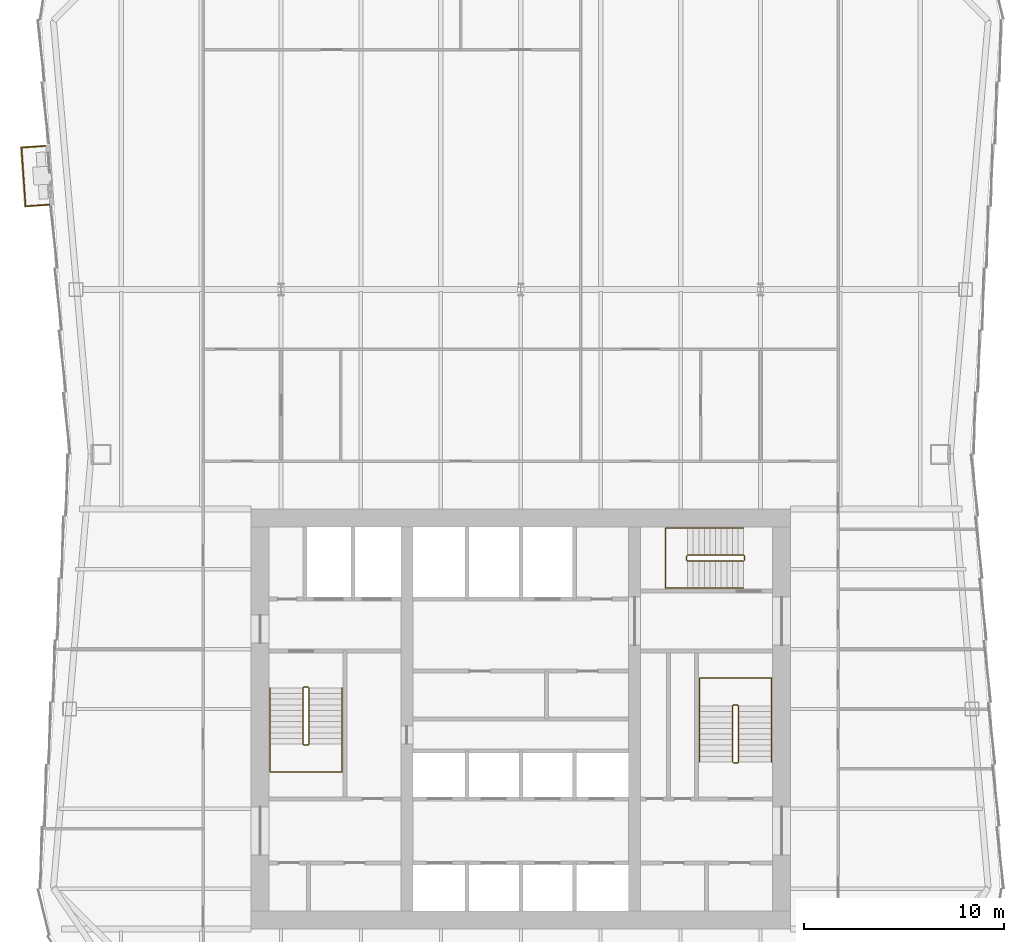
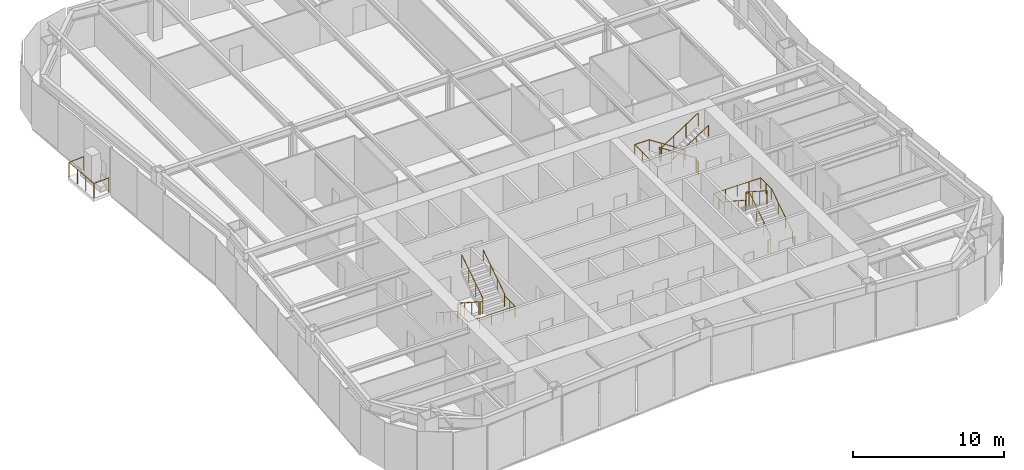
# One storey, part 9 of 10: 7 railings.
"""IFC4 building model written with IfcOpenShell, lengths in metres."""

from ifc_helpers import new_model, si_unit, direction, frame, origin, origin_2d, place, context, subcontext, project, spatial, circle, extrude, material, type_object, element, save


model = new_model("IFC4")

# Units and contexts
model_context = context("Model", 3, precision=1e-05, world=origin(), true_north=direction((0.0, 1.0)))
body_context = subcontext(model_context, "Body", "Model", "MODEL_VIEW")
ifc_project = project(units=[si_unit("LENGTHUNIT", "METRE"), si_unit("AREAUNIT", "SQUARE_METRE"), si_unit("VOLUMEUNIT", "CUBIC_METRE"), si_unit("PLANEANGLEUNIT", "RADIAN"), si_unit("MASSUNIT", "GRAM", prefix="KILO")], contexts=[model_context])

# Site, building, storey
site_placement = place(None, origin())
site = spatial("IfcSite", under=ifc_project, at=site_placement, CompositionType="ELEMENT")
building_placement = place(site_placement, origin())
building = spatial("IfcBuilding", under=site, at=building_placement, Name="Verdant Reach Tower", CompositionType="ELEMENT")
storey_placement = place(building_placement, frame((0.0, 0.0, 214.0)))
storey = spatial("IfcBuildingStorey", under=building, at=storey_placement, Name="L49", CompositionType="ELEMENT", Elevation=214.0)

# Railings
ifc_material_1 = material(Name="Stainless steel", Category="steel")
railing_type_1 = type_object("IfcRailingType", Name="CO-GUARD", PredefinedType="GUARDRAIL", material=ifc_material_1)
railing_1_placement = place(storey_placement, frame((-10.64990234375, 29.60009765625, 0.0)))
element("IfcRailing", 1, at=railing_1_placement, inside=storey, type_object=railing_type_1, Name="L49 ST-1 stair guard 1", PredefinedType="GUARDRAIL", context=body_context, shape_type="SweptSolid", body=[
    extrude(circle(Radius=0.02392578125, at=origin_2d()), frame((0.0, 0.0, 1.076171875), z_axis=(-1.0, 0.0, 0.0), x_axis=(0.0, -1.0, 0.0)), (0.0, 0.0, 1.0), 0.2001953125),
    extrude(circle(Radius=0.02392578125, at=origin_2d()), frame((-0.2001953125, 0.0, 1.076171875), z_axis=(-0.25526617399, -0.256517478764, 0.932222056972), x_axis=(0.708833529934, -0.705375805398, 0.0)), (0.0, 0.0, 1.0), 0.195068359375),
    extrude(circle(Radius=0.02392578125, at=origin_2d()), frame((-0.25, -0.050048828125, 1.2578125), z_axis=(0.0, -0.838705829183, 0.544584733623), x_axis=(1.0, 0.0, 0.0)), (0.0, 0.0, 1.0), 3.338623046875),
    extrude(circle(Radius=0.02392578125, at=origin_2d()), frame((-0.25, -2.85009765625, 3.076171875), z_axis=(0.705375805398, -0.708833529934, 0.0), x_axis=(0.708833529934, 0.705375805398, 0.0)), (0.0, 0.0, 1.0), 0.070556640625),
    extrude(circle(Radius=0.02392578125, at=origin_2d()), frame((-0.2001953125, -2.900146484375, 3.076171875), z_axis=(1.0, 0.0, 0.0), x_axis=(0.0, 1.0, 0.0)), (0.0, 0.0, 1.0), 0.2001953125),
    extrude(circle(Radius=0.02392578125, at=origin_2d()), frame((0.0, -2.900146484375, 3.076171875), z_axis=(0.25526617399, 0.256517478764, 0.932222056972), x_axis=(-0.708833529934, 0.705375805398, 0.0)), (0.0, 0.0, 1.0), 0.195068359375),
    extrude(circle(Radius=0.02392578125, at=origin_2d()), frame((0.0498046875, -2.85009765625, 3.2578125), z_axis=(0.0, 0.838705829183, 0.544584733623), x_axis=(-1.0, 0.0, 0.0)), (0.0, 0.0, 1.0), 3.338623046875),
    extrude(circle(Radius=0.02099609375, at=origin_2d()), origin(), (0.0, 0.0, 1.0), 1.052001953125),
    extrude(circle(Radius=0.02099609375, at=origin_2d()), frame((-0.2001953125, 0.0, 0.0)), (0.0, 0.0, 1.0), 1.052001953125),
    extrude(circle(Radius=0.02099609375, at=origin_2d()), frame((-0.25, -0.050048828125, 0.181884765625)), (0.0, 0.0, 1.0), 1.052001953125),
    extrude(circle(Radius=0.02099609375, at=origin_2d()), frame((-0.25, -0.9833984375, 0.787841796875)), (0.0, 0.0, 1.0), 1.052001953125),
    extrude(circle(Radius=0.02099609375, at=origin_2d()), frame((-0.25, -1.916748046875, 1.39404296875)), (0.0, 0.0, 1.0), 1.052001953125),
    extrude(circle(Radius=0.02099609375, at=origin_2d()), frame((-0.25, -2.85009765625, 2.0)), (0.0, 0.0, 1.0), 1.052001953125),
    extrude(circle(Radius=0.02099609375, at=origin_2d()), frame((-0.2001953125, -2.900146484375, 2.0)), (0.0, 0.0, 1.0), 1.052001953125),
    extrude(circle(Radius=0.02099609375, at=origin_2d()), frame((0.0, -2.900146484375, 2.0)), (0.0, 0.0, 1.0), 1.052001953125),
    extrude(circle(Radius=0.02099609375, at=origin_2d()), frame((0.0498046875, -2.85009765625, 2.181884765625)), (0.0, 0.0, 1.0), 1.052001953125),
    extrude(circle(Radius=0.02099609375, at=origin_2d()), frame((0.0498046875, -1.916748046875, 2.787841796875)), (0.0, 0.0, 1.0), 1.052001953125),
    extrude(circle(Radius=0.02099609375, at=origin_2d()), frame((0.0498046875, -0.9833984375, 3.39404296875)), (0.0, 0.0, 1.0), 1.052001953125),
    extrude(circle(Radius=0.02099609375, at=origin_2d()), frame((0.0498046875, -0.050048828125, 4.0)), (0.0, 0.0, 1.0), 1.052001953125),
])
railing_2_placement = place(storey_placement, frame((10.64990234375, 25.800048828125, 0.0)))
element("IfcRailing", 2, at=railing_2_placement, inside=storey, type_object=railing_type_1, Name="L49 ST-2 stair guard 1", PredefinedType="GUARDRAIL", context=body_context, shape_type="SweptSolid", body=[
    extrude(circle(Radius=0.02392578125, at=origin_2d()), frame((0.0, 0.0, 1.076171875), z_axis=(1.0, 0.0, 0.0), x_axis=(0.0, 1.0, 0.0)), (0.0, 0.0, 1.0), 0.2001953125),
    extrude(circle(Radius=0.02392578125, at=origin_2d()), frame((0.2001953125, 0.0, 1.076171875), z_axis=(0.25526617399, 0.256517478764, 0.932222056972), x_axis=(-0.708833529934, 0.705375805398, 0.0)), (0.0, 0.0, 1.0), 0.195068359375),
    extrude(circle(Radius=0.02392578125, at=origin_2d()), frame((0.25, 0.050048828125, 1.2578125), z_axis=(0.0, 0.83868413941, 0.544618136222), x_axis=(-1.0, 0.0, 0.0)), (0.0, 0.0, 1.0), 3.33837890625),
    extrude(circle(Radius=0.02392578125, at=origin_2d()), frame((0.25, 2.849853515625, 3.076171875), z_axis=(-0.705375805398, 0.708833529934, 0.0), x_axis=(-0.708833529934, -0.705375805398, 0.0)), (0.0, 0.0, 1.0), 0.070556640625),
    extrude(circle(Radius=0.02392578125, at=origin_2d()), frame((0.2001953125, 2.89990234375, 3.076171875), z_axis=(-1.0, 0.0, 0.0), x_axis=(0.0, -1.0, 0.0)), (0.0, 0.0, 1.0), 0.2001953125),
    extrude(circle(Radius=0.02392578125, at=origin_2d()), frame((0.0, 2.89990234375, 3.076171875), z_axis=(-0.25526617399, -0.256517478764, 0.932222056972), x_axis=(0.708833529934, -0.705375805398, 0.0)), (0.0, 0.0, 1.0), 0.195068359375),
    extrude(circle(Radius=0.02392578125, at=origin_2d()), frame((-0.0498046875, 2.849853515625, 3.2578125), z_axis=(0.0, -0.83868413941, 0.544618136222), x_axis=(1.0, 0.0, 0.0)), (0.0, 0.0, 1.0), 3.33837890625),
    extrude(circle(Radius=0.02099609375, at=origin_2d()), origin(), (0.0, 0.0, 1.0), 1.052001953125),
    extrude(circle(Radius=0.02099609375, at=origin_2d()), frame((0.2001953125, 0.0, 0.0)), (0.0, 0.0, 1.0), 1.052001953125),
    extrude(circle(Radius=0.02099609375, at=origin_2d()), frame((0.25, 0.050048828125, 0.181884765625)), (0.0, 0.0, 1.0), 1.052001953125),
    extrude(circle(Radius=0.02099609375, at=origin_2d()), frame((0.25, 0.9833984375, 0.787841796875)), (0.0, 0.0, 1.0), 1.052001953125),
    extrude(circle(Radius=0.02099609375, at=origin_2d()), frame((0.25, 1.91650390625, 1.39404296875)), (0.0, 0.0, 1.0), 1.052001953125),
    extrude(circle(Radius=0.02099609375, at=origin_2d()), frame((0.25, 2.849853515625, 2.0)), (0.0, 0.0, 1.0), 1.052001953125),
    extrude(circle(Radius=0.02099609375, at=origin_2d()), frame((0.2001953125, 2.89990234375, 2.0)), (0.0, 0.0, 1.0), 1.052001953125),
    extrude(circle(Radius=0.02099609375, at=origin_2d()), frame((0.0, 2.89990234375, 2.0)), (0.0, 0.0, 1.0), 1.052001953125),
    extrude(circle(Radius=0.02099609375, at=origin_2d()), frame((-0.0498046875, 2.849853515625, 2.181884765625)), (0.0, 0.0, 1.0), 1.052001953125),
    extrude(circle(Radius=0.02099609375, at=origin_2d()), frame((-0.0498046875, 1.91650390625, 2.787841796875)), (0.0, 0.0, 1.0), 1.052001953125),
    extrude(circle(Radius=0.02099609375, at=origin_2d()), frame((-0.0498046875, 0.9833984375, 3.39404296875)), (0.0, 0.0, 1.0), 1.052001953125),
    extrude(circle(Radius=0.02099609375, at=origin_2d()), frame((-0.0498046875, 0.050048828125, 4.0)), (0.0, 0.0, 1.0), 1.052001953125),
])
railing_3_placement = place(storey_placement, frame((11.199951171875, 35.949951171875, 0.0)))
element("IfcRailing", 3, at=railing_3_placement, inside=storey, type_object=railing_type_1, Name="L49 ST-3 stair guard 1", PredefinedType="GUARDRAIL", context=body_context, shape_type="SweptSolid", body=[
    extrude(circle(Radius=0.02392578125, at=origin_2d()), frame((0.0, 0.0, 1.076171875), z_axis=(0.0, 1.0, 0.0), x_axis=(-1.0, 0.0, 0.0)), (0.0, 0.0, 1.0), 0.199951171875),
    extrude(circle(Radius=0.02392578125, at=origin_2d()), frame((0.0, 0.199951171875, 1.076171875), z_axis=(-0.256435381639, 0.256435381639, 0.931923704005), x_axis=(-0.707106781187, -0.707106781187, 0.0)), (0.0, 0.0, 1.0), 0.195068359375),
    extrude(circle(Radius=0.02392578125, at=origin_2d()), frame((-0.050048828125, 0.25, 1.2578125), z_axis=(-0.83868413941, 0.0, 0.544618136222), x_axis=(0.0, -1.0, 0.0)), (0.0, 0.0, 1.0), 3.33837890625),
    extrude(circle(Radius=0.02392578125, at=origin_2d()), frame((-2.849853515625, 0.25, 3.076171875), z_axis=(-0.707106781187, -0.707106781187, 0.0), x_axis=(0.707106781187, -0.707106781187, 0.0)), (0.0, 0.0, 1.0), 0.07080078125),
    extrude(circle(Radius=0.02392578125, at=origin_2d()), frame((-2.89990234375, 0.199951171875, 3.076171875), z_axis=(0.0, -1.0, 0.0), x_axis=(1.0, 0.0, 0.0)), (0.0, 0.0, 1.0), 0.199951171875),
    extrude(circle(Radius=0.02392578125, at=origin_2d()), frame((-2.89990234375, 0.0, 3.076171875), z_axis=(0.256435381639, -0.256435381639, 0.931923704005), x_axis=(0.707106781187, 0.707106781187, 0.0)), (0.0, 0.0, 1.0), 0.195068359375),
    extrude(circle(Radius=0.02392578125, at=origin_2d()), frame((-2.849853515625, -0.050048828125, 3.2578125), z_axis=(0.83868413941, 0.0, 0.544618136222), x_axis=(0.0, 1.0, 0.0)), (0.0, 0.0, 1.0), 3.33837890625),
    extrude(circle(Radius=0.02099609375, at=origin_2d()), origin(), (0.0, 0.0, 1.0), 1.052001953125),
    extrude(circle(Radius=0.02099609375, at=origin_2d()), frame((0.0, 0.199951171875, 0.0)), (0.0, 0.0, 1.0), 1.052001953125),
    extrude(circle(Radius=0.02099609375, at=origin_2d()), frame((-0.050048828125, 0.25, 0.181884765625)), (0.0, 0.0, 1.0), 1.052001953125),
    extrude(circle(Radius=0.02099609375, at=origin_2d()), frame((-0.9833984375, 0.25, 0.787841796875)), (0.0, 0.0, 1.0), 1.052001953125),
    extrude(circle(Radius=0.02099609375, at=origin_2d()), frame((-1.91650390625, 0.25, 1.39404296875)), (0.0, 0.0, 1.0), 1.052001953125),
    extrude(circle(Radius=0.02099609375, at=origin_2d()), frame((-2.849853515625, 0.25, 2.0)), (0.0, 0.0, 1.0), 1.052001953125),
    extrude(circle(Radius=0.02099609375, at=origin_2d()), frame((-2.89990234375, 0.199951171875, 2.0)), (0.0, 0.0, 1.0), 1.052001953125),
    extrude(circle(Radius=0.02099609375, at=origin_2d()), frame((-2.89990234375, 0.0, 2.0)), (0.0, 0.0, 1.0), 1.052001953125),
    extrude(circle(Radius=0.02099609375, at=origin_2d()), frame((-2.849853515625, -0.050048828125, 2.181884765625)), (0.0, 0.0, 1.0), 1.052001953125),
    extrude(circle(Radius=0.02099609375, at=origin_2d()), frame((-1.91650390625, -0.050048828125, 2.787841796875)), (0.0, 0.0, 1.0), 1.052001953125),
    extrude(circle(Radius=0.02099609375, at=origin_2d()), frame((-0.9833984375, -0.050048828125, 3.39404296875)), (0.0, 0.0, 1.0), 1.052001953125),
    extrude(circle(Radius=0.02099609375, at=origin_2d()), frame((-0.050048828125, -0.050048828125, 4.0)), (0.0, 0.0, 1.0), 1.052001953125),
])
railing_type_2 = type_object("IfcRailingType", Name="CO-HANDRAIL", PredefinedType="HANDRAIL", material=ifc_material_1)
railing_4_placement = place(storey_placement, frame((-12.550048828125, 29.550048828125, 0.181884765625)))
element("IfcRailing", 4, at=railing_4_placement, inside=storey, type_object=railing_type_2, Name="L49 ST-1 stair handrail 1", PredefinedType="HANDRAIL", context=body_context, shape_type="SweptSolid", body=[
    extrude(circle(Radius=0.02392578125, at=origin_2d()), frame((0.0, 0.0, 0.8759765625), z_axis=(0.0, -0.838705829183, 0.544584733623), x_axis=(1.0, 0.0, 0.0)), (0.0, 0.0, 1.0), 3.338623046875),
    extrude(circle(Radius=0.02392578125, at=origin_2d()), frame((0.0, -2.800048828125, 2.69384765625), z_axis=(0.0, -1.0, 0.0), x_axis=(1.0, 0.0, 0.0)), (0.0, 0.0, 1.0), 1.39990234375),
    extrude(circle(Radius=0.02392578125, at=origin_2d()), frame((0.0, -4.199951171875, 2.69384765625), z_axis=(1.0, 0.0, 0.0), x_axis=(0.0, 1.0, 0.0)), (0.0, 0.0, 1.0), 3.60009765625),
    extrude(circle(Radius=0.02392578125, at=origin_2d()), frame((3.60009765625, -4.199951171875, 2.69384765625), z_axis=(0.0, 1.0, 0.0), x_axis=(-1.0, 0.0, 0.0)), (0.0, 0.0, 1.0), 1.39990234375),
    extrude(circle(Radius=0.02392578125, at=origin_2d()), frame((3.60009765625, -2.800048828125, 2.69384765625), z_axis=(0.0, 0.0, 1.0), x_axis=(1.0, 0.0, 0.0)), (0.0, 0.0, 1.0), 0.181884765625),
    extrude(circle(Radius=0.02392578125, at=origin_2d()), frame((3.60009765625, -2.800048828125, 2.8759765625), z_axis=(0.0, 0.838705829183, 0.544584733623), x_axis=(-1.0, 0.0, 0.0)), (0.0, 0.0, 1.0), 3.338623046875),
    extrude(circle(Radius=0.02099609375, at=origin_2d()), origin(), (0.0, 0.0, 1.0), 0.851806640625),
    extrude(circle(Radius=0.02099609375, at=origin_2d()), frame((0.0, -0.933349609375, 0.60595703125)), (0.0, 0.0, 1.0), 0.851806640625),
    extrude(circle(Radius=0.02099609375, at=origin_2d()), frame((0.0, -1.86669921875, 1.212158203125)), (0.0, 0.0, 1.0), 0.851806640625),
    extrude(circle(Radius=0.02099609375, at=origin_2d()), frame((0.0, -2.800048828125, 1.818115234375)), (0.0, 0.0, 1.0), 0.851806640625),
    extrude(circle(Radius=0.02099609375, at=origin_2d()), frame((0.0, -3.5, 1.818115234375)), (0.0, 0.0, 1.0), 0.851806640625),
    extrude(circle(Radius=0.02099609375, at=origin_2d()), frame((0.0, -4.199951171875, 1.818115234375)), (0.0, 0.0, 1.0), 0.851806640625),
    extrude(circle(Radius=0.02099609375, at=origin_2d()), frame((0.89990234375, -4.199951171875, 1.818115234375)), (0.0, 0.0, 1.0), 0.851806640625),
    extrude(circle(Radius=0.02099609375, at=origin_2d()), frame((1.800048828125, -4.199951171875, 1.818115234375)), (0.0, 0.0, 1.0), 0.851806640625),
    extrude(circle(Radius=0.02099609375, at=origin_2d()), frame((2.7001953125, -4.199951171875, 1.818115234375)), (0.0, 0.0, 1.0), 0.851806640625),
    extrude(circle(Radius=0.02099609375, at=origin_2d()), frame((3.60009765625, -4.199951171875, 1.818115234375)), (0.0, 0.0, 1.0), 0.851806640625),
    extrude(circle(Radius=0.02099609375, at=origin_2d()), frame((3.60009765625, -3.5, 1.818115234375)), (0.0, 0.0, 1.0), 0.851806640625),
    extrude(circle(Radius=0.02099609375, at=origin_2d()), frame((3.60009765625, -2.800048828125, 1.818115234375)), (0.0, 0.0, 1.0), 0.851806640625),
    extrude(circle(Radius=0.02099609375, at=origin_2d()), frame((3.60009765625, -2.800048828125, 2.0)), (0.0, 0.0, 1.0), 0.851806640625),
    extrude(circle(Radius=0.02099609375, at=origin_2d()), frame((3.60009765625, -1.86669921875, 2.60595703125)), (0.0, 0.0, 1.0), 0.851806640625),
    extrude(circle(Radius=0.02099609375, at=origin_2d()), frame((3.60009765625, -0.933349609375, 3.212158203125)), (0.0, 0.0, 1.0), 0.851806640625),
    extrude(circle(Radius=0.02099609375, at=origin_2d()), frame((3.60009765625, 0.0, 3.818115234375)), (0.0, 0.0, 1.0), 0.851806640625),
])
railing_5_placement = place(storey_placement, frame((12.550048828125, 25.85009765625, 0.181884765625)))
element("IfcRailing", 5, at=railing_5_placement, inside=storey, type_object=railing_type_2, Name="L49 ST-2 stair handrail 1", PredefinedType="HANDRAIL", context=body_context, shape_type="SweptSolid", body=[
    extrude(circle(Radius=0.02392578125, at=origin_2d()), frame((0.0, 0.0, 0.8759765625), z_axis=(0.0, 0.83868413941, 0.544618136222), x_axis=(-1.0, 0.0, 0.0)), (0.0, 0.0, 1.0), 3.33837890625),
    extrude(circle(Radius=0.02392578125, at=origin_2d()), frame((0.0, 2.7998046875, 2.69384765625), z_axis=(0.0, 1.0, 0.0), x_axis=(-1.0, 0.0, 0.0)), (0.0, 0.0, 1.0), 1.400146484375),
    extrude(circle(Radius=0.02392578125, at=origin_2d()), frame((0.0, 4.199951171875, 2.69384765625), z_axis=(-1.0, 0.0, 0.0), x_axis=(0.0, -1.0, 0.0)), (0.0, 0.0, 1.0), 3.60009765625),
    extrude(circle(Radius=0.02392578125, at=origin_2d()), frame((-3.60009765625, 4.199951171875, 2.69384765625), z_axis=(0.0, -1.0, 0.0), x_axis=(1.0, 0.0, 0.0)), (0.0, 0.0, 1.0), 1.400146484375),
    extrude(circle(Radius=0.02392578125, at=origin_2d()), frame((-3.60009765625, 2.7998046875, 2.69384765625), z_axis=(0.0, 0.0, 1.0), x_axis=(1.0, 0.0, 0.0)), (0.0, 0.0, 1.0), 0.181884765625),
    extrude(circle(Radius=0.02392578125, at=origin_2d()), frame((-3.60009765625, 2.7998046875, 2.8759765625), z_axis=(0.0, -0.83868413941, 0.544618136222), x_axis=(1.0, 0.0, 0.0)), (0.0, 0.0, 1.0), 3.33837890625),
    extrude(circle(Radius=0.02099609375, at=origin_2d()), origin(), (0.0, 0.0, 1.0), 0.851806640625),
    extrude(circle(Radius=0.02099609375, at=origin_2d()), frame((0.0, 0.933349609375, 0.60595703125)), (0.0, 0.0, 1.0), 0.851806640625),
    extrude(circle(Radius=0.02099609375, at=origin_2d()), frame((0.0, 1.866455078125, 1.212158203125)), (0.0, 0.0, 1.0), 0.851806640625),
    extrude(circle(Radius=0.02099609375, at=origin_2d()), frame((0.0, 2.7998046875, 1.818115234375)), (0.0, 0.0, 1.0), 0.851806640625),
    extrude(circle(Radius=0.02099609375, at=origin_2d()), frame((0.0, 3.5, 1.818115234375)), (0.0, 0.0, 1.0), 0.851806640625),
    extrude(circle(Radius=0.02099609375, at=origin_2d()), frame((0.0, 4.199951171875, 1.818115234375)), (0.0, 0.0, 1.0), 0.851806640625),
    extrude(circle(Radius=0.02099609375, at=origin_2d()), frame((-0.89990234375, 4.199951171875, 1.818115234375)), (0.0, 0.0, 1.0), 0.851806640625),
    extrude(circle(Radius=0.02099609375, at=origin_2d()), frame((-1.800048828125, 4.199951171875, 1.818115234375)), (0.0, 0.0, 1.0), 0.851806640625),
    extrude(circle(Radius=0.02099609375, at=origin_2d()), frame((-2.7001953125, 4.199951171875, 1.818115234375)), (0.0, 0.0, 1.0), 0.851806640625),
    extrude(circle(Radius=0.02099609375, at=origin_2d()), frame((-3.60009765625, 4.199951171875, 1.818115234375)), (0.0, 0.0, 1.0), 0.851806640625),
    extrude(circle(Radius=0.02099609375, at=origin_2d()), frame((-3.60009765625, 3.5, 1.818115234375)), (0.0, 0.0, 1.0), 0.851806640625),
    extrude(circle(Radius=0.02099609375, at=origin_2d()), frame((-3.60009765625, 2.7998046875, 1.818115234375)), (0.0, 0.0, 1.0), 0.851806640625),
    extrude(circle(Radius=0.02099609375, at=origin_2d()), frame((-3.60009765625, 2.7998046875, 2.0)), (0.0, 0.0, 1.0), 0.851806640625),
    extrude(circle(Radius=0.02099609375, at=origin_2d()), frame((-3.60009765625, 1.866455078125, 2.60595703125)), (0.0, 0.0, 1.0), 0.851806640625),
    extrude(circle(Radius=0.02099609375, at=origin_2d()), frame((-3.60009765625, 0.933349609375, 3.212158203125)), (0.0, 0.0, 1.0), 0.851806640625),
    extrude(circle(Radius=0.02099609375, at=origin_2d()), frame((-3.60009765625, 0.0, 3.818115234375)), (0.0, 0.0, 1.0), 0.851806640625),
])
railing_6_placement = place(storey_placement, frame((11.14990234375, 37.550048828125, 0.181884765625)))
element("IfcRailing", 6, at=railing_6_placement, inside=storey, type_object=railing_type_2, Name="L49 ST-3 stair handrail 1", PredefinedType="HANDRAIL", context=body_context, shape_type="SweptSolid", body=[
    extrude(circle(Radius=0.02392578125, at=origin_2d()), frame((0.0, 0.0, 0.8759765625), z_axis=(-0.83868413941, 0.0, 0.544618136222), x_axis=(0.0, -1.0, 0.0)), (0.0, 0.0, 1.0), 3.33837890625),
    extrude(circle(Radius=0.02392578125, at=origin_2d()), frame((-2.7998046875, 0.0, 2.69384765625), z_axis=(-1.0, 0.0, 0.0), x_axis=(0.0, -1.0, 0.0)), (0.0, 0.0, 1.0), 1.10009765625),
    extrude(circle(Radius=0.02392578125, at=origin_2d()), frame((-3.89990234375, 0.0, 2.69384765625), z_axis=(0.0, -1.0, 0.0), x_axis=(1.0, 0.0, 0.0)), (0.0, 0.0, 1.0), 3.0),
    extrude(circle(Radius=0.02392578125, at=origin_2d()), frame((-3.89990234375, -3.0, 2.69384765625), z_axis=(1.0, 0.0, 0.0), x_axis=(0.0, 1.0, 0.0)), (0.0, 0.0, 1.0), 1.10009765625),
    extrude(circle(Radius=0.02392578125, at=origin_2d()), frame((-2.7998046875, -3.0, 2.69384765625), z_axis=(0.0, 0.0, 1.0), x_axis=(1.0, 0.0, 0.0)), (0.0, 0.0, 1.0), 0.181884765625),
    extrude(circle(Radius=0.02392578125, at=origin_2d()), frame((-2.7998046875, -3.0, 2.8759765625), z_axis=(0.83868413941, 0.0, 0.544618136222), x_axis=(0.0, 1.0, 0.0)), (0.0, 0.0, 1.0), 3.33837890625),
    extrude(circle(Radius=0.02099609375, at=origin_2d()), origin(), (0.0, 0.0, 1.0), 0.851806640625),
    extrude(circle(Radius=0.02099609375, at=origin_2d()), frame((-0.933349609375, 0.0, 0.60595703125)), (0.0, 0.0, 1.0), 0.851806640625),
    extrude(circle(Radius=0.02099609375, at=origin_2d()), frame((-1.866455078125, 0.0, 1.212158203125)), (0.0, 0.0, 1.0), 0.851806640625),
    extrude(circle(Radius=0.02099609375, at=origin_2d()), frame((-2.7998046875, 0.0, 1.818115234375)), (0.0, 0.0, 1.0), 0.851806640625),
    extrude(circle(Radius=0.02099609375, at=origin_2d()), frame((-3.89990234375, 0.0, 1.818115234375)), (0.0, 0.0, 1.0), 0.851806640625),
    extrude(circle(Radius=0.02099609375, at=origin_2d()), frame((-3.89990234375, -1.0, 1.818115234375)), (0.0, 0.0, 1.0), 0.851806640625),
    extrude(circle(Radius=0.02099609375, at=origin_2d()), frame((-3.89990234375, -2.0, 1.818115234375)), (0.0, 0.0, 1.0), 0.851806640625),
    extrude(circle(Radius=0.02099609375, at=origin_2d()), frame((-3.89990234375, -3.0, 1.818115234375)), (0.0, 0.0, 1.0), 0.851806640625),
    extrude(circle(Radius=0.02099609375, at=origin_2d()), frame((-2.7998046875, -3.0, 1.818115234375)), (0.0, 0.0, 1.0), 0.851806640625),
    extrude(circle(Radius=0.02099609375, at=origin_2d()), frame((-2.7998046875, -3.0, 2.0)), (0.0, 0.0, 1.0), 0.851806640625),
    extrude(circle(Radius=0.02099609375, at=origin_2d()), frame((-1.866455078125, -3.0, 2.60595703125)), (0.0, 0.0, 1.0), 0.851806640625),
    extrude(circle(Radius=0.02099609375, at=origin_2d()), frame((-0.933349609375, -3.0, 3.212158203125)), (0.0, 0.0, 1.0), 0.851806640625),
    extrude(circle(Radius=0.02099609375, at=origin_2d()), frame((0.0, -3.0, 3.818115234375)), (0.0, 0.0, 1.0), 0.851806640625),
])
ifc_material_2 = material(Name="Stainless steel and laminated glass balustrade", Category="steel")
railing_type_3 = type_object("IfcRailingType", Name="EN-RAILING BALCONY", PredefinedType="GUARDRAIL", material=ifc_material_2)
railing_7_placement = place(storey_placement, frame((-23.813232421875, 56.685791015625, 0.0)))
element("IfcRailing", 7, at=railing_7_placement, inside=storey, type_object=railing_type_3, Name="Balcony guard 1, L49", PredefinedType="GUARDRAIL", context=body_context, shape_type="SweptSolid", body=[
    extrude(circle(Radius=0.02490234375, at=origin_2d()), frame((0.0, 0.0, 1.1748046875), z_axis=(-0.997631794817, -0.068780825605, 0.0), x_axis=(0.068780825605, -0.997631794817, 0.0)), (0.0, 0.0, 1.0), 1.181884765625),
    extrude(circle(Radius=0.02490234375, at=origin_2d()), frame((-1.17919921875, -0.081298828125, 1.1748046875), z_axis=(0.068810617056, -0.997629740425, 0.0), x_axis=(0.997629740425, 0.068810617056, 0.0)), (0.0, 0.0, 1.0), 2.948486328125),
    extrude(circle(Radius=0.02490234375, at=origin_2d()), frame((-0.976318359375, -3.022705078125, 1.1748046875), z_axis=(0.997631794817, 0.068780825605, 0.0), x_axis=(-0.068780825605, 0.997631794817, 0.0)), (0.0, 0.0, 1.0), 1.181884765625),
    extrude(circle(Radius=0.02490234375, at=origin_2d()), origin(), (0.0, 0.0, 1.0), 1.14990234375),
    extrude(circle(Radius=0.02490234375, at=origin_2d()), frame((-1.17919921875, -0.081298828125, 0.0)), (0.0, 0.0, 1.0), 1.14990234375),
    extrude(circle(Radius=0.02490234375, at=origin_2d()), frame((-1.111572265625, -1.061767578125, 0.0)), (0.0, 0.0, 1.0), 1.14990234375),
    extrude(circle(Radius=0.02490234375, at=origin_2d()), frame((-1.0439453125, -2.042236328125, 0.0)), (0.0, 0.0, 1.0), 1.14990234375),
    extrude(circle(Radius=0.02490234375, at=origin_2d()), frame((-0.976318359375, -3.022705078125, 0.0)), (0.0, 0.0, 1.0), 1.14990234375),
    extrude(circle(Radius=0.02490234375, at=origin_2d()), frame((0.202880859375, -2.94140625, 0.0)), (0.0, 0.0, 1.0), 1.14990234375),
])

save(model, "model.ifc")
